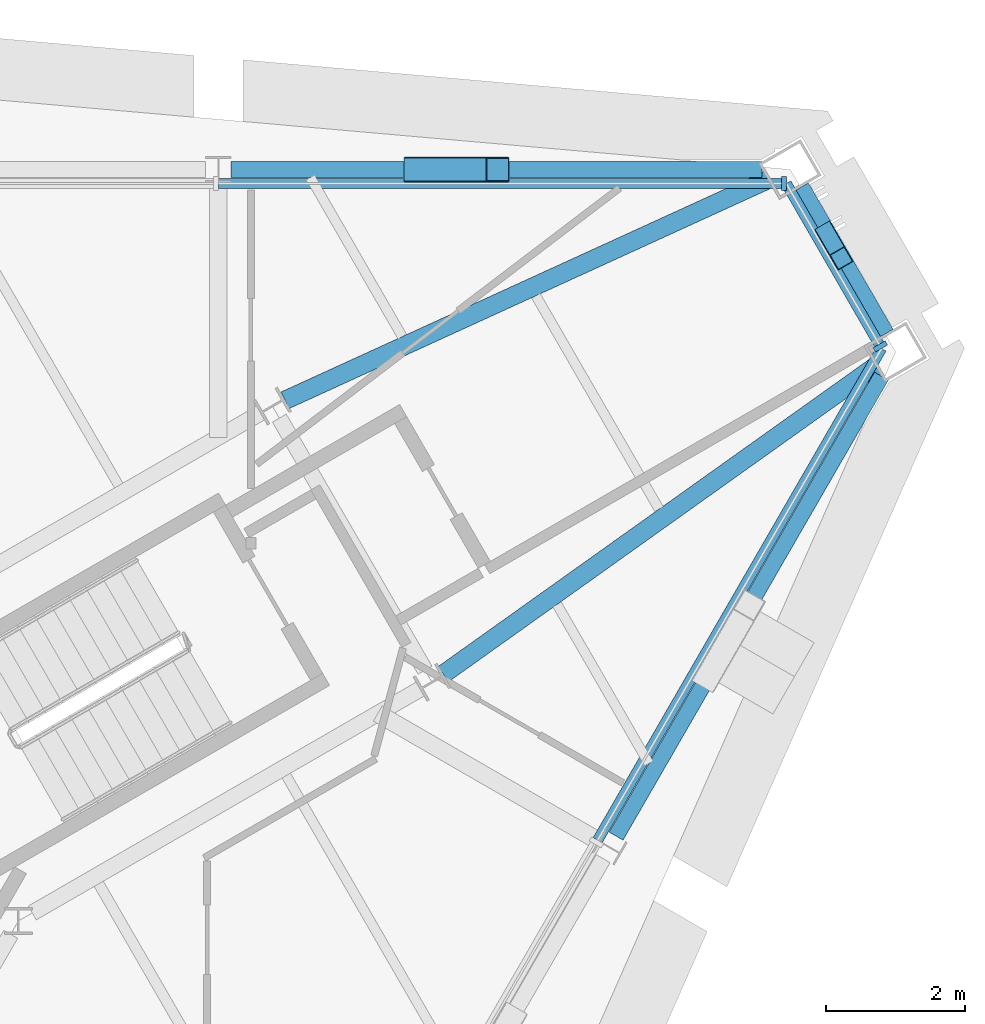
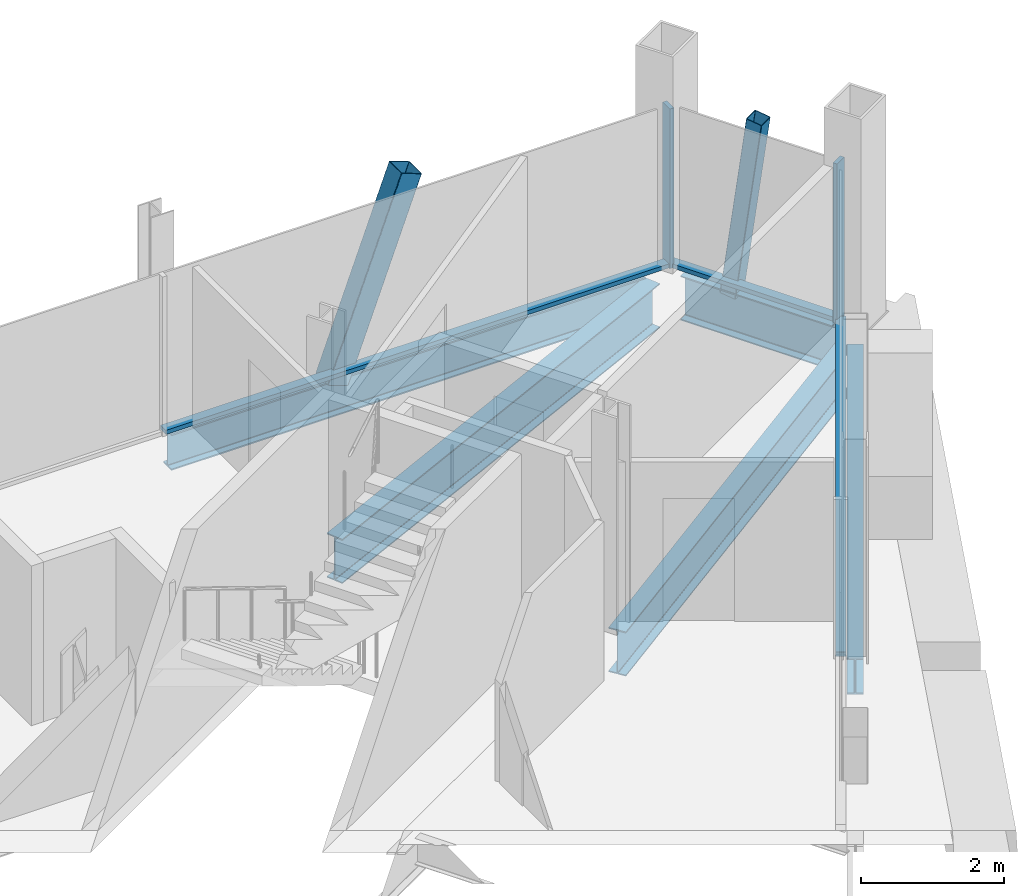
# One storey, part 7 of 14: 7 members, 5 beams, 3 elements without a shape of their own.
"""IFC4 building model written with IfcOpenShell, lengths in metres."""

from ifc_helpers import new_model, si_unit, direction, frame, origin, origin_2d, place, context, subcontext, project, spatial, rectangle, hollow_rectangle, i_section, extrude, material, material_profile, profile_set, type_object, element, aggregate, save


model = new_model("IFC4")

# Units and contexts
model_context = context("Model", 3, precision=1e-05, world=origin(), true_north=direction((0.0, 1.0)))
body_context = subcontext(model_context, "Body", "Model", "MODEL_VIEW")
ifc_project = project(units=[si_unit("LENGTHUNIT", "METRE"), si_unit("AREAUNIT", "SQUARE_METRE"), si_unit("VOLUMEUNIT", "CUBIC_METRE"), si_unit("PLANEANGLEUNIT", "RADIAN"), si_unit("MASSUNIT", "GRAM", prefix="KILO")], contexts=[model_context])

# Site, building, storey
site_placement = place(None, origin())
site = spatial("IfcSite", under=ifc_project, at=site_placement, CompositionType="ELEMENT")
building_placement = place(site_placement, origin())
building = spatial("IfcBuilding", under=site, at=building_placement, Name="Verrane Prism Tower", CompositionType="ELEMENT")
storey_placement = place(building_placement, frame((0.0, 0.0, 293.60009765625)))
storey = spatial("IfcBuildingStorey", under=building, at=storey_placement, Name="L74", CompositionType="ELEMENT", Elevation=293.60009765625)

# Member
ifc_material_1 = material(Name="Steel A500 Grade C", Category="steel")
ifc_material_profile_1 = material_profile(ifc_material_1, hollow_rectangle(XDim=0.25390625, YDim=0.25390625, WallThickness=0.009521484375, InnerFilletRadius=0.0048828125, OuterFilletRadius=0.014404296875, at=origin_2d()), Name="HSS10x10x3/8")
ifc_profile_set_1 = profile_set([ifc_material_profile_1], Name="Steel A500 Grade C")
member_type_1 = type_object("IfcMemberType", Name="Chamfer brace HSS10x10x3/8", PredefinedType="BRACE", material=ifc_profile_set_1)
member_1_placement = place(storey_placement, frame((21.126953125, 12.73828125, -0.24267578125), z_axis=(0.067784448094, -0.117358148939, 0.990773603541), x_axis=(0.865936922628, 0.500153222552, 0.0)))
element("IfcMember", 1, at=member_1_placement, inside=storey, type_object=member_type_1, Name="Chamfer brace NE0 L74", PredefinedType="BRACE", context=body_context, shape_type="SweptSolid", body=[
    extrude(hollow_rectangle(XDim=0.25390625, YDim=0.25390625, WallThickness=0.009521484375, InnerFilletRadius=0.0048828125, OuterFilletRadius=0.014404296875, at=origin_2d()), origin(), (0.0, 0.0, 1.0), 3.13720703125),
])

# Beams
ifc_material_2 = material(Name="Steel A992", Category="steel")
ifc_material_profile_2 = material_profile(ifc_material_2, i_section(OverallWidth=0.2666015625, OverallDepth=0.7568359375, WebThickness=0.013916015625, FlangeThickness=0.019287109375, FilletRadius=0.0166015625, at=origin_2d()), Name="W30x108")
ifc_profile_set_2 = profile_set([ifc_material_profile_2], Name="Steel A992")
beam_type_1 = type_object("IfcBeamType", Name="Chamfer spandrel beam W30x108", PredefinedType="SPANDREL", material=ifc_profile_set_2)
beam_1_placement = place(storey_placement, frame((21.969970703125, 11.27978515625, -0.53857421875), z_axis=(-0.500436097356, 0.865773476415, 0.0), x_axis=(-0.865773476415, -0.500436097356, 0.0)))
element("IfcBeam", 2, at=beam_1_placement, inside=storey, type_object=beam_type_1, Name="Chamfer spandrel beam L74", PredefinedType="SPANDREL", context=body_context, shape_type="SweptSolid", body=[
    extrude(i_section(OverallWidth=0.2666015625, OverallDepth=0.7568359375, WebThickness=0.013916015625, FlangeThickness=0.019287109375, FilletRadius=0.0166015625, at=origin_2d()), origin(), (0.0, 0.0, 1.0), 2.437744140625),
])
ifc_material_3 = material(Name="Steel A992", Category="steel")
ifc_material_profile_3 = material_profile(ifc_material_3, i_section(OverallWidth=0.2666015625, OverallDepth=0.7568359375, WebThickness=0.013916015625, FlangeThickness=0.019287109375, FilletRadius=0.0166015625, at=origin_2d()), Name="W30x108")
ifc_profile_set_3 = profile_set([ifc_material_profile_3], Name="Steel A992")
beam_type_2 = type_object("IfcBeamType", Name="Corner girder W30x108", PredefinedType="BEAM", material=ifc_profile_set_3)
for number, where, z_axis, x_axis, name in (
    (3, (21.833740234375, 10.81591796875, -0.5986328125), (-0.814401339816, -0.580302040067, 0.0), (0.580302040067, -0.814401339816, 0.0), "Corner girder L74"),
    (4, (20.2802734375, 13.50390625, -0.5986328125), (-0.909481370613, -0.415744677065, 0.0), (0.415744677065, -0.909481370613, 0.0), "Corner girder L74"),
):
    element("IfcBeam", number, at=place(storey_placement, frame(where, z_axis=z_axis, x_axis=x_axis)), inside=storey, type_object=beam_type_2, Name=name, PredefinedType="BEAM", context=body_context, shape_type="SweptSolid", body=[
        extrude(i_section(OverallWidth=0.2666015625, OverallDepth=0.7568359375, WebThickness=0.013916015625, FlangeThickness=0.019287109375, FilletRadius=0.0166015625, at=origin_2d()), origin(), (0.0, 0.0, 1.0), 7.650634765625),
    ])

# Member
ifc_material_4 = material(Name="Steel A500 Grade C", Category="steel")
ifc_material_profile_4 = material_profile(ifc_material_4, hollow_rectangle(XDim=0.355712890625, YDim=0.355712890625, WallThickness=0.0126953125, InnerFilletRadius=0.00634765625, OuterFilletRadius=0.01904296875, at=origin_2d()), Name="HSS14x14x1/2")
ifc_profile_set_4 = profile_set([ifc_material_profile_4], Name="Steel A500 Grade C")
member_type_2 = type_object("IfcMemberType", Name="Facade brace HSS14x14x1/2", PredefinedType="BRACE", material=ifc_profile_set_4)
member_2_placement = place(storey_placement, frame((15.2001953125, 13.64990234375, -0.216796875), z_axis=(0.347950987795, 0.0, 0.937512725296), x_axis=(0.0, 1.0, 0.0)))
element("IfcMember", 5, at=member_2_placement, inside=storey, type_object=member_type_2, Name="Facade brace N0 L74", PredefinedType="BRACE", context=body_context, shape_type="SweptSolid", body=[
    extrude(hollow_rectangle(XDim=0.355712890625, YDim=0.355712890625, WallThickness=0.0126953125, InnerFilletRadius=0.00634765625, OuterFilletRadius=0.01904296875, at=origin_2d()), origin(), (0.0, 0.0, 1.0), 3.409423828125),
])

# Curtain wall, member
ifc_material_5 = material(Name="Aluminium framed insulated glazing", Category="aluminium")
curtain_wall_type = type_object("IfcCurtainWallType", Name="Curtain wall CW-A 8400 module", PredefinedType="NOTDEFINED", material=ifc_material_5)
curtain_wall_1_placement = place(storey_placement, origin())
curtain_wall_1 = element("IfcCurtainWall", 6, at=curtain_wall_1_placement, inside=storey, type_object=curtain_wall_type, Name="Glazed curtain wall north-east corner L74", PredefinedType="NOTDEFINED")
ifc_material_6 = material(Name="Aluminium alloy 6063-T6", Category="aluminium")
ifc_material_profile_5 = material_profile(ifc_material_6, rectangle(XDim=0.199951171875, YDim=0.070068359375, at=origin_2d()), Name="Mullion 70x200 aluminium")
ifc_profile_set_5 = profile_set([ifc_material_profile_5], Name="Aluminium alloy 6063-T6")
member_type_3 = type_object("IfcMemberType", Name="Mullion 70x200 aluminium", PredefinedType="MULLION", material=ifc_profile_set_5)
member_3_placement = place(storey_placement, frame((21.901123046875, 11.10009765625, 0.0), z_axis=(0.0, 0.0, 1.0), x_axis=(-0.866024225493, -0.500002040855, 0.0)))
member_3 = element("IfcMember", 7, at=member_3_placement, type_object=member_type_3, Name="CW72.1 mullion 1", PredefinedType="MULLION", context=body_context, shape_type="SweptSolid", body=[
    extrude(rectangle(XDim=0.199951171875, YDim=0.070068359375, at=origin_2d()), origin(), (0.0, 0.0, 1.0), 2.722900390625),
])

curtain_wall_2_placement = place(storey_placement, origin())
curtain_wall_2 = element("IfcCurtainWall", 8, at=curtain_wall_2_placement, inside=storey, type_object=curtain_wall_type, Name="Glazed curtain wall north face L74", PredefinedType="NOTDEFINED")
member_4_placement = place(storey_placement, frame((20.510986328125, 13.447265625, 0.0), z_axis=(0.0, 0.0, 1.0), x_axis=(0.0, -1.0, 0.0)))
member_4 = element("IfcMember", 9, at=member_4_placement, type_object=member_type_3, Name="CW72.2 mullion 1", PredefinedType="MULLION", context=body_context, shape_type="SweptSolid", body=[
    extrude(rectangle(XDim=0.199951171875, YDim=0.070068359375, at=origin_2d()), origin(), (0.0, 0.0, 1.0), 2.722900390625),
])

# Beams
ifc_material_7 = material(Name="Steel A992", Category="steel")
ifc_material_profile_6 = material_profile(ifc_material_7, i_section(OverallWidth=0.23046875, OverallDepth=0.6171875, WebThickness=0.01318359375, FlangeThickness=0.022216796875, FilletRadius=0.012939453125, at=origin_2d()), Name="W24x94")
ifc_profile_set_6 = profile_set([ifc_material_profile_6], Name="Steel A992")
beam_type_3 = type_object("IfcBeamType", Name="Spandrel beam W24x94", PredefinedType="SPANDREL", material=ifc_profile_set_6)
beam_2_placement = place(storey_placement, frame((20.19580078125, 13.64990234375, -0.46875), z_axis=(-1.0, 0.0, 0.0), x_axis=(0.0, -1.0, 0.0)))
element("IfcBeam", 10, at=beam_2_placement, inside=storey, type_object=beam_type_3, Name="Spandrel beam L74", PredefinedType="SPANDREL", context=body_context, shape_type="SweptSolid", body=[
    extrude(i_section(OverallWidth=0.23046875, OverallDepth=0.6171875, WebThickness=0.01318359375, FlangeThickness=0.022216796875, FilletRadius=0.012939453125, at=origin_2d()), origin(), (0.0, 0.0, 1.0), 7.649169921875),
])
beam_3_placement = place(storey_placement, frame((18.09326171875, 4.041748046875, -0.46875), z_axis=(0.499797022492, 0.866142561192, 0.0), x_axis=(-0.866142561192, 0.499797022492, 0.0)))
element("IfcBeam", 11, at=beam_3_placement, inside=storey, type_object=beam_type_3, Name="Spandrel beam L74", PredefinedType="SPANDREL", context=body_context, shape_type="SweptSolid", body=[
    extrude(i_section(OverallWidth=0.23046875, OverallDepth=0.6171875, WebThickness=0.01318359375, FlangeThickness=0.022216796875, FilletRadius=0.012939453125, at=origin_2d()), origin(), (0.0, 0.0, 1.0), 7.652587890625),
])

# Member
ifc_material_8 = material(Name="Aluminium alloy 6063-T6", Category="aluminium")
ifc_material_profile_7 = material_profile(ifc_material_8, rectangle(XDim=0.14990234375, YDim=0.070068359375, at=origin_2d()), Name="Transom 70x150 aluminium")
ifc_profile_set_7 = profile_set([ifc_material_profile_7], Name="Aluminium alloy 6063-T6")
member_type_4 = type_object("IfcMemberType", Name="Transom 70x150 aluminium", PredefinedType="USERDEFINED", material=ifc_profile_set_7)
member_5_placement = place(storey_placement, frame((21.8837890625, 11.13037109375, 0.034912109375), z_axis=(-0.499996300355, 0.866027539765, 0.0), x_axis=(-0.866027539765, -0.499996300355, 0.0)))
member_5 = element("IfcMember", 12, at=member_5_placement, type_object=member_type_4, Name="CW72.1 transom 1", ObjectType="TRANSOM", PredefinedType="USERDEFINED", context=body_context, shape_type="SweptSolid", body=[
    extrude(rectangle(XDim=0.14990234375, YDim=0.070068359375, at=origin_2d()), origin(), (0.0, 0.0, 1.0), 2.67529296875),
])

aggregate(curtain_wall_1, [member_3, member_5])

member_6_placement = place(storey_placement, frame((20.47607421875, 13.447265625, 0.034912109375), z_axis=(-1.0, 0.0, 0.0), x_axis=(0.0, -1.0, 0.0)))
member_6 = element("IfcMember", 13, at=member_6_placement, type_object=member_type_4, Name="CW72.2 transom 1", ObjectType="TRANSOM", PredefinedType="USERDEFINED", context=body_context, shape_type="SweptSolid", body=[
    extrude(rectangle(XDim=0.14990234375, YDim=0.070068359375, at=origin_2d()), origin(), (0.0, 0.0, 1.0), 8.113525390625),
])

aggregate(curtain_wall_2, [member_4, member_6])

# Curtain wall, member
curtain_wall_3_placement = place(storey_placement, origin())
curtain_wall_3 = element("IfcCurtainWall", 14, at=curtain_wall_3_placement, inside=storey, type_object=curtain_wall_type, Name="Glazed curtain wall south-east face L74", PredefinedType="NOTDEFINED")
member_7_placement = place(storey_placement, frame((17.826904296875, 3.982666015625, 0.034912109375), z_axis=(0.500002215902, 0.866024124429, 0.0), x_axis=(-0.866024124429, 0.500002215902, 0.0)))
member_7 = element("IfcMember", 15, at=member_7_placement, type_object=member_type_4, Name="CW72.6 transom 5", ObjectType="TRANSOM", PredefinedType="USERDEFINED", context=body_context, shape_type="SweptSolid", body=[
    extrude(rectangle(XDim=0.14990234375, YDim=0.070068359375, at=origin_2d()), origin(), (0.0, 0.0, 1.0), 8.18359375),
])
aggregate(curtain_wall_3, [member_7])

save(model, "model.ifc")
